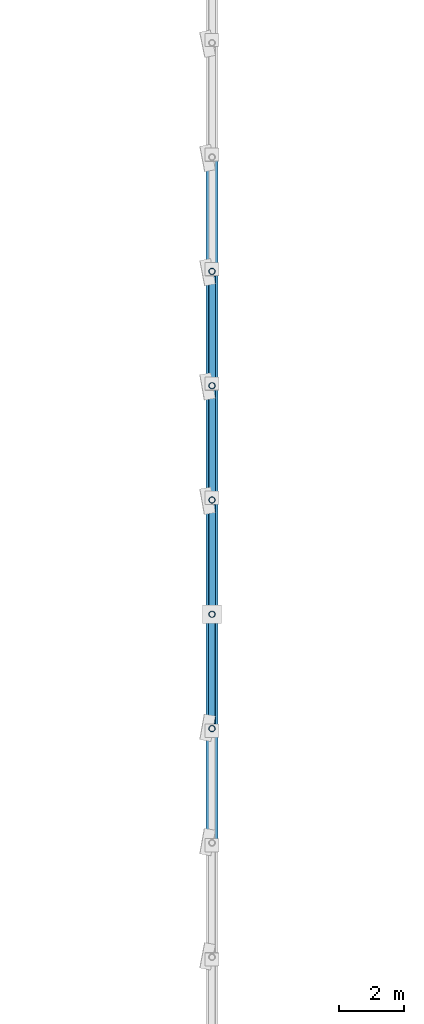
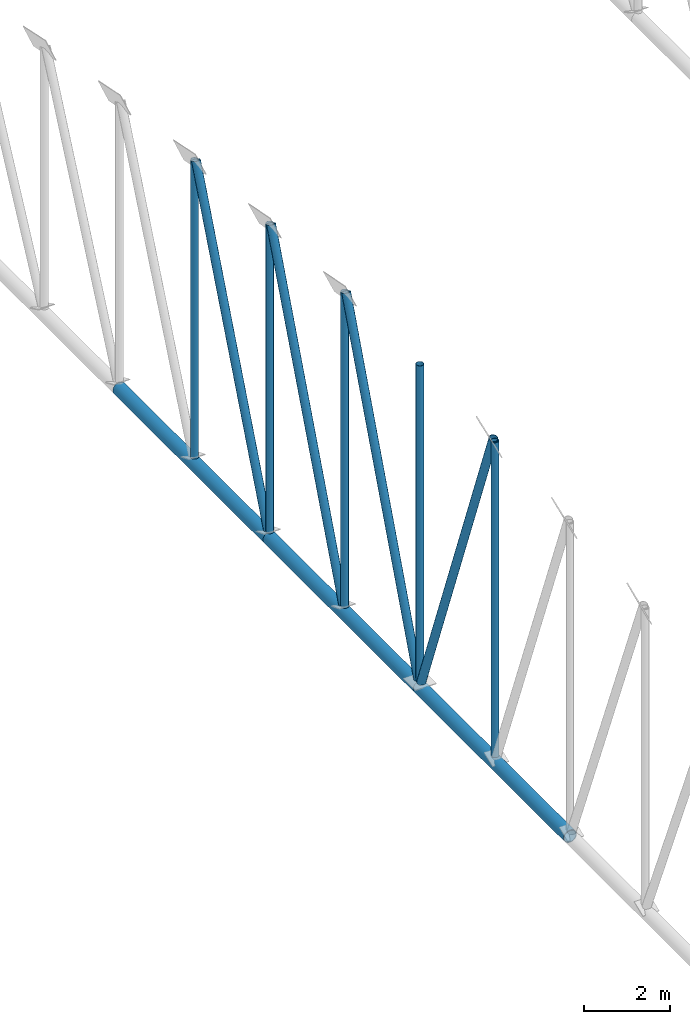
# One storey, part 61 of 196: 12 members.
"""IFC4 building model written with IfcOpenShell, lengths in metres."""

from ifc_helpers import new_model, si_unit, direction, frame, origin, origin_2d, place, context, subcontext, project, spatial, hollow_circle, extrude, material, material_profile, profile_set, type_object, element, save


model = new_model("IFC4")

# Units and contexts
model_context = context("Model", 3, precision=1e-05, world=origin(), true_north=direction((0.0, 1.0)))
body_context = subcontext(model_context, "Body", "Model", "MODEL_VIEW")
ifc_project = project(units=[si_unit("LENGTHUNIT", "METRE"), si_unit("AREAUNIT", "SQUARE_METRE"), si_unit("VOLUMEUNIT", "CUBIC_METRE"), si_unit("PLANEANGLEUNIT", "RADIAN"), si_unit("MASSUNIT", "GRAM", prefix="KILO")], contexts=[model_context])

# Site, building, storey
site_placement = place(None, origin())
site = spatial("IfcSite", under=ifc_project, at=site_placement, CompositionType="ELEMENT")
building_placement = place(site_placement, origin())
building = spatial("IfcBuilding", under=site, at=building_placement, Name="Okhra Congress Centre", CompositionType="ELEMENT")
storey_placement = place(building_placement, frame((0.0, 0.0, 12.0)))
storey = spatial("IfcBuildingStorey", under=building, at=storey_placement, Name="L02", CompositionType="ELEMENT", Elevation=12.0)

# Members
ifc_material = material(Name="Steel S355J2H", Category="steel")
ifc_material_profile_1 = material_profile(ifc_material, hollow_circle(Radius=0.096923828125, WallThickness=0.008056640625, at=origin_2d()), Name="CHS 193.7x8.0")
ifc_profile_set_1 = profile_set([ifc_material_profile_1], Name="Steel S355J2H")
member_type_1 = type_object("IfcMemberType", Name="CHS 193.7x8.0", PredefinedType="POST", material=ifc_profile_set_1)
member_1_placement = place(storey_placement, frame((46.0, 170.5, 1.577880859375), z_axis=(0.0, 0.0, 1.0), x_axis=(1.0, 0.0, 0.0)))
element("IfcMember", 1, at=member_1_placement, inside=storey, type_object=member_type_1, Name="EH.MEM.L02.T2-VER-11", PredefinedType="POST", context=body_context, shape_type="SweptSolid", body=[
    extrude(hollow_circle(Radius=0.096923828125, WallThickness=0.008056640625, at=origin_2d()), origin(), (0.0, 0.0, 1.0), 8.95654296875),
])
member_2_placement = place(storey_placement, frame((46.0, 174.0, 1.577880859375), z_axis=(0.0, 0.0, 1.0), x_axis=(1.0, 0.0, 0.0)))
element("IfcMember", 2, at=member_2_placement, inside=storey, type_object=member_type_1, Name="EH.MEM.L02.T2-VER-12", PredefinedType="POST", context=body_context, shape_type="SweptSolid", body=[
    extrude(hollow_circle(Radius=0.096923828125, WallThickness=0.008056640625, at=origin_2d()), origin(), (0.0, 0.0, 1.0), 9.018798828125),
])
member_3_placement = place(storey_placement, frame((46.0, 177.5, 1.577880859375), z_axis=(0.0, 0.0, 1.0), x_axis=(1.0, 0.0, 0.0)))
element("IfcMember", 3, at=member_3_placement, inside=storey, type_object=member_type_1, Name="EH.MEM.L02.T2-VER-13", PredefinedType="POST", context=body_context, shape_type="SweptSolid", body=[
    extrude(hollow_circle(Radius=0.096923828125, WallThickness=0.008056640625, at=origin_2d()), origin(), (0.0, 0.0, 1.0), 8.95654296875),
])
member_4_placement = place(storey_placement, frame((46.0, 181.0, 1.577880859375), z_axis=(0.0, 0.0, 1.0), x_axis=(1.0, 0.0, 0.0)))
element("IfcMember", 4, at=member_4_placement, inside=storey, type_object=member_type_1, Name="EH.MEM.L02.T2-VER-14", PredefinedType="POST", context=body_context, shape_type="SweptSolid", body=[
    extrude(hollow_circle(Radius=0.096923828125, WallThickness=0.008056640625, at=origin_2d()), origin(), (0.0, 0.0, 1.0), 8.76953125),
])
member_5_placement = place(storey_placement, frame((46.0, 184.5, 1.577880859375), z_axis=(0.0, 0.0, 1.0), x_axis=(1.0, 0.0, 0.0)))
element("IfcMember", 5, at=member_5_placement, inside=storey, type_object=member_type_1, Name="EH.MEM.L02.T2-VER-15", PredefinedType="POST", context=body_context, shape_type="SweptSolid", body=[
    extrude(hollow_circle(Radius=0.096923828125, WallThickness=0.008056640625, at=origin_2d()), origin(), (0.0, 0.0, 1.0), 8.456787109375),
])
ifc_material_profile_2 = material_profile(ifc_material, hollow_circle(Radius=0.109619140625, WallThickness=0.010009765625, at=origin_2d()), Name="CHS 219.1x10.0")
ifc_profile_set_2 = profile_set([ifc_material_profile_2], Name="Steel S355J2H")
member_type_2 = type_object("IfcMemberType", Name="CHS 219.1x10.0", PredefinedType="BRACE", material=ifc_profile_set_2)
for number, where, z_axis, x_axis, name in (
    (6, (46.0, 170.568359375, 10.55517578125), (0.0, 0.35098669327, -0.936380446799), (-1.0, 0.0, 0.0), "EH.MEM.L02.T2-DIA-11"),
    (7, (46.0, 177.431640625, 10.55517578125), (0.0, -0.35098669327, -0.936380446799), (1.0, 0.0, 0.0), "EH.MEM.L02.T2-DIA-12"),
):
    element("IfcMember", number, at=place(storey_placement, frame(where, z_axis=z_axis, x_axis=x_axis)), inside=storey, type_object=member_type_2, Name=name, PredefinedType="BRACE", context=body_context, shape_type="SweptSolid", body=[
        extrude(hollow_circle(Radius=0.109619140625, WallThickness=0.010009765625, at=origin_2d()), origin(), (0.0, 0.0, 1.0), 9.587158203125),
    ])
member_6_placement = place(storey_placement, frame((46.0, 180.930908203125, 10.37060546875), z_axis=(0.0, -0.357217988255, -0.934021043054), x_axis=(1.0, 0.0, 0.0)))
element("IfcMember", 8, at=member_6_placement, inside=storey, type_object=member_type_2, Name="EH.MEM.L02.T2-DIA-13", PredefinedType="BRACE", context=body_context, shape_type="SweptSolid", body=[
    extrude(hollow_circle(Radius=0.109619140625, WallThickness=0.010009765625, at=origin_2d()), origin(), (0.0, 0.0, 1.0), 9.413818359375),
])
member_7_placement = place(storey_placement, frame((46.0, 184.429443359375, 10.060546875), z_axis=(0.0, -0.368181952794, -0.929753757528), x_axis=(1.0, 0.0, 0.0)))
element("IfcMember", 9, at=member_7_placement, inside=storey, type_object=member_type_2, Name="EH.MEM.L02.T2-DIA-14", PredefinedType="BRACE", context=body_context, shape_type="SweptSolid", body=[
    extrude(hollow_circle(Radius=0.109619140625, WallThickness=0.010009765625, at=origin_2d()), origin(), (0.0, 0.0, 1.0), 9.12353515625),
])
ifc_material_profile_3 = material_profile(ifc_material, hollow_circle(Radius=0.177734375, WallThickness=0.02001953125, at=origin_2d()), Name="CHS 355.6x20.0")
ifc_profile_set_3 = profile_set([ifc_material_profile_3], Name="Steel S355J2H")
member_type_3 = type_object("IfcMemberType", Name="CHS 355.6x20.0", PredefinedType="CHORD", material=ifc_profile_set_3)
for number, where, z_axis, x_axis, name in (
    (10, (46.0, 167.0, 1.39990234375), (0.0, 1.0, 0.0), (-1.0, 0.0, 0.0), "EH.MEM.L02.T2-BOT-06"),
    (11, (46.0, 174.0, 1.39990234375), (0.0, 1.0, 0.0), (-1.0, 0.0, 0.0), "EH.MEM.L02.T2-BOT-07"),
    (12, (46.0, 181.0, 1.39990234375), (0.0, 1.0, 0.0), (-1.0, 0.0, 0.0), "EH.MEM.L02.T2-BOT-08"),
):
    element("IfcMember", number, at=place(storey_placement, frame(where, z_axis=z_axis, x_axis=x_axis)), inside=storey, type_object=member_type_3, Name=name, PredefinedType="CHORD", context=body_context, shape_type="SweptSolid", body=[
        extrude(hollow_circle(Radius=0.177734375, WallThickness=0.02001953125, at=origin_2d()), origin(), (0.0, 0.0, 1.0), 7.0),
    ])

save(model, "model.ifc")
